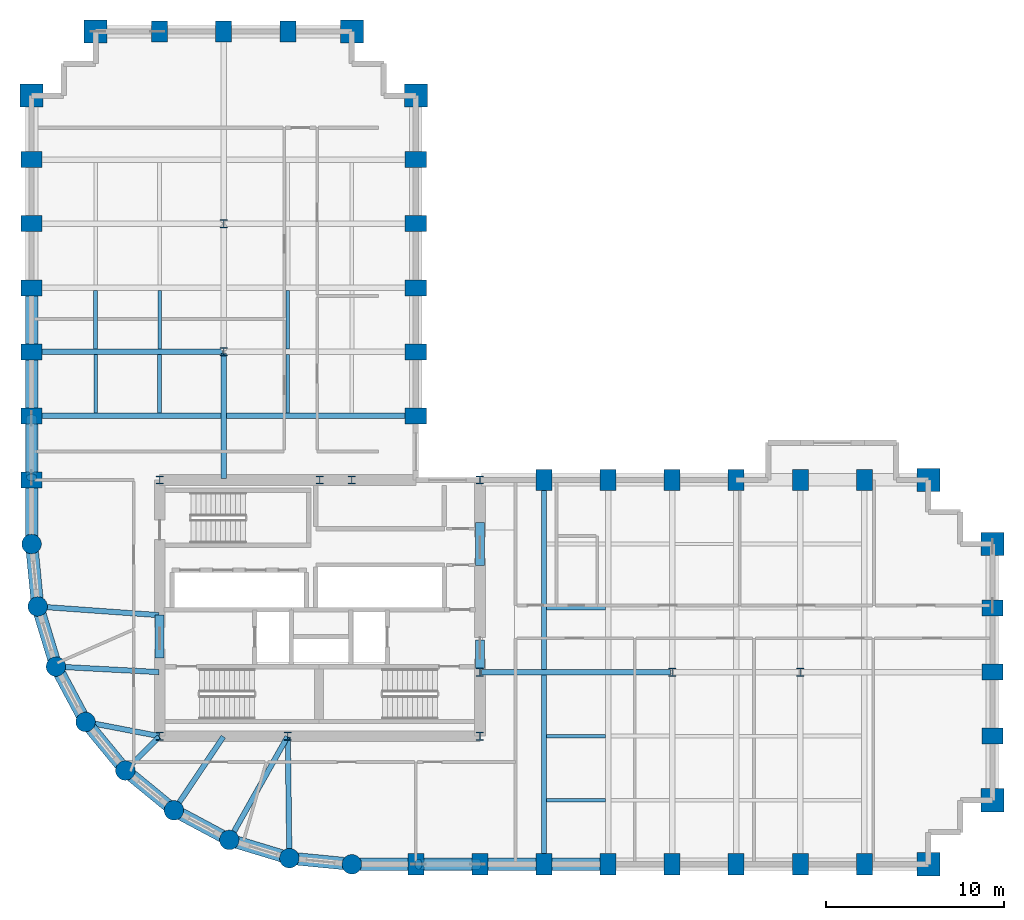
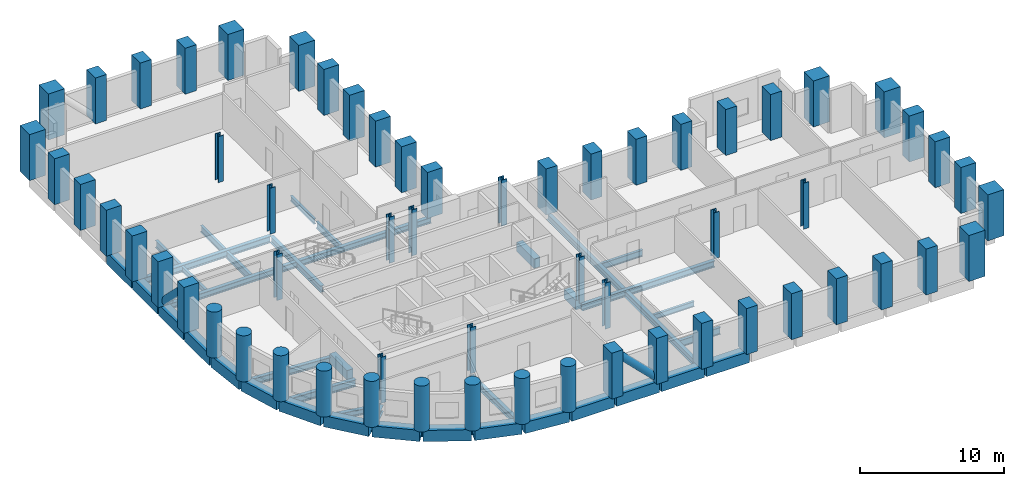
# One storey, part 1 of 8: 60 columns, 40 beams, 2 members.
"""IFC4 building model written with IfcOpenShell, lengths in metres."""

from ifc_helpers import new_model, si_unit, direction, frame, origin, origin_2d, place, context, subcontext, project, spatial, rectangle, circle, hollow_circle, i_section, extrude, material, material_profile, profile_set, type_object, element, save


model = new_model("IFC4")

# Units and contexts
model_context = context("Model", 3, precision=1e-05, world=origin(), true_north=direction((0.0, 1.0)))
body_context = subcontext(model_context, "Body", "Model", "MODEL_VIEW")
ifc_project = project(units=[si_unit("LENGTHUNIT", "METRE"), si_unit("AREAUNIT", "SQUARE_METRE"), si_unit("VOLUMEUNIT", "CUBIC_METRE"), si_unit("PLANEANGLEUNIT", "RADIAN"), si_unit("MASSUNIT", "GRAM", prefix="KILO")], contexts=[model_context])

# Site, building, storey
site_placement = place(None, origin())
site = spatial("IfcSite", under=ifc_project, at=site_placement, CompositionType="ELEMENT")
building_placement = place(site_placement, origin())
building = spatial("IfcBuilding", under=site, at=building_placement, Name="Solnavia Interchange Tower", CompositionType="ELEMENT")
storey_placement = place(building_placement, frame((0.0, 0.0, 43.5)))
storey = spatial("IfcBuildingStorey", under=building, at=storey_placement, Name="L10", CompositionType="ELEMENT", Elevation=43.5)

# Columns
ifc_material_1 = material(Name="Concrete C60/75", Category="concrete")
ifc_material_profile_1 = material_profile(ifc_material_1, rectangle(XDim=0.89990234375, YDim=1.199951171875, at=origin_2d()), Name="RC 1200x900")
ifc_profile_set_1 = profile_set([ifc_material_profile_1], Name="Concrete C60/75")
column_type_1 = type_object("IfcColumnType", Name="Col-RC-1200x900", PredefinedType="COLUMN", material=ifc_profile_set_1)
for number, where, z_axis, x_axis, name in (
    (1, (7.199951171875, 25.199951171875, 0.0), (0.0, 0.0, 1.0), (0.0, 1.0, 0.0), "COL-L10-02 Tower perim y column"),
    (2, (7.199951171875, 28.800048828125, 0.0), (0.0, 0.0, 1.0), (0.0, 1.0, 0.0), "COL-L10-03 Tower perim y column"),
    (3, (7.199951171875, 32.39990234375, 0.0), (0.0, 0.0, 1.0), (0.0, 1.0, 0.0), "COL-L10-04 Tower perim y column"),
    (4, (7.199951171875, 36.0, 0.0), (0.0, 0.0, 1.0), (0.0, 1.0, 0.0), "COL-L10-05 Tower perim y column"),
    (5, (7.199951171875, 39.60009765625, 0.0), (0.0, 0.0, 1.0), (0.0, 1.0, 0.0), "COL-L10-06 Tower perim y column"),
    (6, (7.199951171875, 43.199951171875, 0.0), (0.0, 0.0, 1.0), (0.0, 1.0, 0.0), "COL-L10-07 Tower perim y column"),
    (7, (14.39990234375, 50.39990234375, 0.0), (0.0, 0.0, 1.0), (1.0, 0.0, 0.0), "COL-L10-16 Tower perim x column"),
    (8, (18.0, 50.39990234375, 0.0), (0.0, 0.0, 1.0), (1.0, 0.0, 0.0), "COL-L10-20 Tower perim x column"),
    (9, (21.60009765625, 50.39990234375, 0.0), (0.0, 0.0, 1.0), (1.0, 0.0, 0.0), "COL-L10-23 Tower perim x column"),
    (10, (28.800048828125, 3.60009765625, 0.0), (0.0, 0.0, 1.0), (1.0, 0.0, 0.0), "COL-L10-29 Tower perim x column"),
    (11, (28.800048828125, 28.800048828125, 0.0), (0.0, 0.0, 1.0), (0.0, 1.0, 0.0), "COL-L10-30 Tower perim y column"),
    (12, (28.800048828125, 32.39990234375, 0.0), (0.0, 0.0, 1.0), (0.0, 1.0, 0.0), "COL-L10-31 Tower perim y column"),
    (13, (28.800048828125, 36.0, 0.0), (0.0, 0.0, 1.0), (0.0, 1.0, 0.0), "COL-L10-32 Tower perim y column"),
    (14, (28.800048828125, 39.60009765625, 0.0), (0.0, 0.0, 1.0), (0.0, 1.0, 0.0), "COL-L10-33 Tower perim y column"),
    (15, (28.800048828125, 43.199951171875, 0.0), (0.0, 0.0, 1.0), (0.0, 1.0, 0.0), "COL-L10-34 Tower perim y column"),
    (16, (32.39990234375, 3.60009765625, 0.0), (0.0, 0.0, 1.0), (1.0, 0.0, 0.0), "COL-L10-36 Tower perim x column"),
    (17, (36.0, 3.60009765625, 0.0), (0.0, 0.0, 1.0), (1.0, 0.0, 0.0), "COL-L10-40 Tower perim x column"),
    (18, (36.0, 25.199951171875, 0.0), (0.0, 0.0, 1.0), (1.0, 0.0, 0.0), "COL-L10-41 Tower perim x column"),
    (19, (39.60009765625, 3.60009765625, 0.0), (0.0, 0.0, 1.0), (1.0, 0.0, 0.0), "COL-L10-42 Tower perim x column"),
    (20, (39.60009765625, 25.199951171875, 0.0), (0.0, 0.0, 1.0), (1.0, 0.0, 0.0), "COL-L10-43 Tower perim x column"),
    (21, (43.199951171875, 3.60009765625, 0.0), (0.0, 0.0, 1.0), (1.0, 0.0, 0.0), "COL-L10-44 Tower perim x column"),
    (22, (43.199951171875, 25.199951171875, 0.0), (0.0, 0.0, 1.0), (1.0, 0.0, 0.0), "COL-L10-46 Tower perim x column"),
    (23, (46.800048828125, 3.60009765625, 0.0), (0.0, 0.0, 1.0), (1.0, 0.0, 0.0), "COL-L10-47 Tower perim x column"),
    (24, (46.800048828125, 25.199951171875, 0.0), (0.0, 0.0, 1.0), (1.0, 0.0, 0.0), "COL-L10-48 Tower perim x column"),
    (25, (50.39990234375, 3.60009765625, 0.0), (0.0, 0.0, 1.0), (1.0, 0.0, 0.0), "COL-L10-49 Tower perim x column"),
    (26, (50.39990234375, 25.199951171875, 0.0), (0.0, 0.0, 1.0), (1.0, 0.0, 0.0), "COL-L10-51 Tower perim x column"),
    (27, (54.0, 3.60009765625, 0.0), (0.0, 0.0, 1.0), (1.0, 0.0, 0.0), "COL-L10-52 Tower perim x column"),
    (28, (54.0, 25.199951171875, 0.0), (0.0, 0.0, 1.0), (1.0, 0.0, 0.0), "COL-L10-53 Tower perim x column"),
    (29, (61.199951171875, 10.800048828125, 0.0), (0.0, 0.0, 1.0), (0.0, 1.0, 0.0), "COL-L10-57 Tower perim y column"),
    (30, (61.199951171875, 14.39990234375, 0.0), (0.0, 0.0, 1.0), (0.0, 1.0, 0.0), "COL-L10-58 Tower perim y column"),
    (31, (61.199951171875, 18.0, 0.0), (0.0, 0.0, 1.0), (0.0, 1.0, 0.0), "COL-L10-59 Tower perim y column"),
):
    element("IfcColumn", number, at=place(storey_placement, frame(where, z_axis=z_axis, x_axis=x_axis)), inside=storey, type_object=column_type_1, Name=name, PredefinedType="COLUMN", context=body_context, shape_type="SweptSolid", body=[
        extrude(rectangle(XDim=0.89990234375, YDim=1.199951171875, at=origin_2d()), origin(), (0.0, 0.0, 1.0), 3.89990234375),
    ])
ifc_material_profile_2 = material_profile(ifc_material_1, rectangle(XDim=1.300048828125, YDim=1.300048828125, at=origin_2d()), Name="RC 1300x1300")
ifc_profile_set_2 = profile_set([ifc_material_profile_2], Name="Concrete C60/75")
column_type_2 = type_object("IfcColumnType", Name="Col-RC-1300x1300", PredefinedType="COLUMN", material=ifc_profile_set_2)
for number, where, z_axis, x_axis, name in (
    (32, (7.199951171875, 46.800048828125, 0.0), (0.0, 0.0, 1.0), (0.0, 1.0, 0.0), "COL-L10-08 Tower corner column"),
    (33, (10.800048828125, 50.39990234375, 0.0), (0.0, 0.0, 1.0), (1.0, 0.0, 0.0), "COL-L10-12 Tower corner column"),
    (34, (25.199951171875, 50.39990234375, 0.0), (0.0, 0.0, 1.0), (1.0, 0.0, 0.0), "COL-L10-28 Tower corner column"),
    (35, (28.800048828125, 46.800048828125, 0.0), (0.0, 0.0, 1.0), (0.0, 1.0, 0.0), "COL-L10-35 Tower corner column"),
    (36, (57.60009765625, 3.60009765625, 0.0), (0.0, 0.0, 1.0), (1.0, 0.0, 0.0), "COL-L10-54 Tower corner column"),
    (37, (57.60009765625, 25.199951171875, 0.0), (0.0, 0.0, 1.0), (1.0, 0.0, 0.0), "COL-L10-55 Tower corner column"),
    (38, (61.199951171875, 7.199951171875, 0.0), (0.0, 0.0, 1.0), (1.0, 0.0, 0.0), "COL-L10-56 Tower corner column"),
    (39, (61.199951171875, 21.60009765625, 0.0), (0.0, 0.0, 1.0), (0.0, 1.0, 0.0), "COL-L10-60 Tower corner column"),
):
    element("IfcColumn", number, at=place(storey_placement, frame(where, z_axis=z_axis, x_axis=x_axis)), inside=storey, type_object=column_type_2, Name=name, PredefinedType="COLUMN", context=body_context, shape_type="SweptSolid", body=[
        extrude(rectangle(XDim=1.300048828125, YDim=1.300048828125, at=origin_2d()), origin(), (0.0, 0.0, 1.0), 3.89990234375),
    ])
ifc_material_profile_3 = material_profile(ifc_material_1, circle(Radius=0.550048828125, at=origin_2d()), Name="RC D1100")
ifc_profile_set_3 = profile_set([ifc_material_profile_3], Name="Concrete C60/75")
column_type_3 = type_object("IfcColumnType", Name="Col-RC-D1100", PredefinedType="COLUMN", material=ifc_profile_set_3)
for number, where, z_axis, x_axis, name in (
    (40, (7.199951171875, 21.60009765625, 0.0), (0.0, 0.0, 1.0), (1.0, 0.0, 0.0), "COL-L10-01 Tower drum column"),
    (41, (7.5458984375, 18.087890625, 0.0), (0.0, 0.0, 1.0), (1.0, 0.0, 0.0), "COL-L10-09 Tower drum column"),
    (42, (8.570068359375, 14.7119140625, 0.0), (0.0, 0.0, 1.0), (1.0, 0.0, 0.0), "COL-L10-10 Tower drum column"),
    (43, (10.23388671875, 11.60009765625, 0.0), (0.0, 0.0, 1.0), (1.0, 0.0, 0.0), "COL-L10-11 Tower drum column"),
    (44, (12.471923828125, 8.8720703125, 0.0), (0.0, 0.0, 1.0), (1.0, 0.0, 0.0), "COL-L10-13 Tower drum column"),
    (45, (15.199951171875, 6.634033203125, 0.0), (0.0, 0.0, 1.0), (1.0, 0.0, 0.0), "COL-L10-17 Tower drum column"),
    (46, (18.31201171875, 4.969970703125, 0.0), (0.0, 0.0, 1.0), (1.0, 0.0, 0.0), "COL-L10-21 Tower drum column"),
    (47, (21.68798828125, 3.946044921875, 0.0), (0.0, 0.0, 1.0), (1.0, 0.0, 0.0), "COL-L10-24 Tower drum column"),
    (48, (25.199951171875, 3.60009765625, 0.0), (0.0, 0.0, 1.0), (1.0, 0.0, 0.0), "COL-L10-26 Tower drum column"),
):
    element("IfcColumn", number, at=place(storey_placement, frame(where, z_axis=z_axis, x_axis=x_axis)), inside=storey, type_object=column_type_3, Name=name, PredefinedType="COLUMN", context=body_context, shape_type="SweptSolid", body=[
        extrude(circle(Radius=0.550048828125, at=origin_2d()), origin(), (0.0, 0.0, 1.0), 3.89990234375),
    ])
ifc_material_2 = material(Name="Steel S355", Category="steel")
ifc_material_profile_4 = material_profile(ifc_material_2, i_section(OverallWidth=0.424072265625, OverallDepth=0.467041015625, WebThickness=0.032958984375, FlangeThickness=0.053466796875, FilletRadius=0.014892578125, at=origin_2d()), Name="HD 400x509")
ifc_profile_set_4 = profile_set([ifc_material_profile_4], Name="Steel S355")
column_type_4 = type_object("IfcColumnType", Name="Col-Steel-HD400x509", PredefinedType="COLUMN", material=ifc_profile_set_4)
for number, where, z_axis, x_axis, name in (
    (49, (14.39990234375, 10.800048828125, 0.0), (0.0, 0.0, 1.0), (1.0, 0.0, 0.0), "COL-L10-14 Tower interior column"),
    (50, (14.39990234375, 25.199951171875, 0.0), (0.0, 0.0, 1.0), (1.0, 0.0, 0.0), "COL-L10-15 Tower interior column"),
    (51, (18.0, 32.39990234375, 0.0), (0.0, 0.0, 1.0), (1.0, 0.0, 0.0), "COL-L10-18 Tower interior column"),
    (52, (18.0, 39.60009765625, 0.0), (0.0, 0.0, 1.0), (1.0, 0.0, 0.0), "COL-L10-19 Tower interior column"),
    (53, (21.60009765625, 10.800048828125, 0.0), (0.0, 0.0, 1.0), (1.0, 0.0, 0.0), "COL-L10-22 Tower interior column"),
    (54, (23.39990234375, 25.199951171875, 0.0), (0.0, 0.0, 1.0), (1.0, 0.0, 0.0), "COL-L10-25 Tower interior column"),
    (55, (25.199951171875, 25.199951171875, 0.0), (0.0, 0.0, 1.0), (1.0, 0.0, 0.0), "COL-L10-27 Tower interior column"),
    (56, (32.39990234375, 10.800048828125, 0.0), (0.0, 0.0, 1.0), (1.0, 0.0, 0.0), "COL-L10-37 Tower interior column"),
    (57, (32.39990234375, 14.39990234375, 0.0), (0.0, 0.0, 1.0), (1.0, 0.0, 0.0), "COL-L10-38 Tower interior column"),
    (58, (32.39990234375, 25.199951171875, 0.0), (0.0, 0.0, 1.0), (1.0, 0.0, 0.0), "COL-L10-39 Tower interior column"),
    (59, (43.199951171875, 14.39990234375, 0.0), (0.0, 0.0, 1.0), (1.0, 0.0, 0.0), "COL-L10-45 Tower interior column"),
    (60, (50.39990234375, 14.39990234375, 0.0), (0.0, 0.0, 1.0), (1.0, 0.0, 0.0), "COL-L10-50 Tower interior column"),
):
    element("IfcColumn", number, at=place(storey_placement, frame(where, z_axis=z_axis, x_axis=x_axis)), inside=storey, type_object=column_type_4, Name=name, PredefinedType="COLUMN", context=body_context, shape_type="SweptSolid", body=[
        extrude(i_section(OverallWidth=0.424072265625, OverallDepth=0.467041015625, WebThickness=0.032958984375, FlangeThickness=0.053466796875, FilletRadius=0.014892578125, at=origin_2d()), origin(), (0.0, 0.0, 1.0), 3.89990234375),
    ])

# Beams
ifc_material_3 = material(Name="Concrete C50/60", Category="concrete")
ifc_material_profile_5 = material_profile(ifc_material_3, rectangle(XDim=0.5, YDim=0.800048828125, at=origin_2d()), Name="RC 500x800")
ifc_profile_set_5 = profile_set([ifc_material_profile_5], Name="Concrete C50/60")
beam_type_1 = type_object("IfcBeamType", Name="Beam-Coupling-RC500x800", PredefinedType="LINTEL", material=ifc_profile_set_5)
beam_1_placement = place(storey_placement, frame((14.39990234375, 15.199951171875, -0.39990234375), z_axis=(0.0, 1.0, 0.0), x_axis=(-1.0, 0.0, 0.0)))
element("IfcBeam", 61, at=beam_1_placement, inside=storey, type_object=beam_type_1, Name="CPB-L10-W1 Core coupling lintel beam", PredefinedType="LINTEL", context=body_context, shape_type="SweptSolid", body=[
    extrude(rectangle(XDim=0.5, YDim=0.800048828125, at=origin_2d()), origin(), (0.0, 0.0, 1.0), 2.400146484375),
])
beam_2_placement = place(storey_placement, frame((32.39990234375, 14.60009765625, -0.39990234375), z_axis=(0.0, 1.0, 0.0), x_axis=(-1.0, 0.0, 0.0)))
element("IfcBeam", 62, at=beam_2_placement, inside=storey, type_object=beam_type_1, Name="CPB-L10-E1 Core coupling lintel beam", PredefinedType="LINTEL", context=body_context, shape_type="SweptSolid", body=[
    extrude(rectangle(XDim=0.5, YDim=0.800048828125, at=origin_2d()), origin(), (0.0, 0.0, 1.0), 1.599853515625),
])
beam_3_placement = place(storey_placement, frame((32.39990234375, 20.39990234375, -0.39990234375), z_axis=(0.0, 1.0, 0.0), x_axis=(-1.0, 0.0, 0.0)))
element("IfcBeam", 63, at=beam_3_placement, inside=storey, type_object=beam_type_1, Name="CPB-L10-E2 Core coupling lintel beam", PredefinedType="LINTEL", context=body_context, shape_type="SweptSolid", body=[
    extrude(rectangle(XDim=0.5, YDim=0.800048828125, at=origin_2d()), origin(), (0.0, 0.0, 1.0), 2.400146484375),
])
ifc_material_4 = material(Name="Steel S460", Category="steel")
ifc_material_profile_6 = material_profile(ifc_material_4, i_section(OverallWidth=0.300048828125, OverallDepth=0.550048828125, WebThickness=0.014892578125, FlangeThickness=0.029052734375, FilletRadius=0.027099609375, at=origin_2d()), Name="HEB 550")
ifc_profile_set_6 = profile_set([ifc_material_profile_6], Name="Steel S460")
beam_type_2 = type_object("IfcBeamType", Name="Beam-Girder-HEB550", PredefinedType="BEAM", material=ifc_profile_set_6)
beam_4_placement = place(storey_placement, frame((32.47998046875, 14.39990234375, -0.52490234375), z_axis=(1.0, 0.0, 0.0), x_axis=(0.0, 1.0, 0.0)))
element("IfcBeam", 64, at=beam_4_placement, inside=storey, type_object=beam_type_2, Name="GRD-L10-ES01 East wing spine girder", PredefinedType="BEAM", context=body_context, shape_type="SweptSolid", body=[
    extrude(i_section(OverallWidth=0.300048828125, OverallDepth=0.550048828125, WebThickness=0.014892578125, FlangeThickness=0.029052734375, FilletRadius=0.027099609375, at=origin_2d()), origin(), (0.0, 0.0, 1.0), 10.64013671875),
])
beam_5_placement = place(storey_placement, frame((36.0, 3.679931640625, -0.52490234375), z_axis=(0.0, 1.0, 0.0), x_axis=(-1.0, 0.0, 0.0)))
element("IfcBeam", 65, at=beam_5_placement, inside=storey, type_object=beam_type_2, Name="GRD-L10-EW04 East wing primary floor girder", PredefinedType="BEAM", context=body_context, shape_type="SweptSolid", body=[
    extrude(i_section(OverallWidth=0.300048828125, OverallDepth=0.550048828125, WebThickness=0.014892578125, FlangeThickness=0.029052734375, FilletRadius=0.027099609375, at=origin_2d()), origin(), (0.0, 0.0, 1.0), 21.440185546875),
])
beam_6_placement = place(storey_placement, frame((18.0, 25.280029296875, -0.52490234375), z_axis=(0.0, 1.0, 0.0), x_axis=(-1.0, 0.0, 0.0)))
element("IfcBeam", 66, at=beam_6_placement, inside=storey, type_object=beam_type_2, Name="GRD-L10-NS12 North wing spine girder", PredefinedType="BEAM", context=body_context, shape_type="SweptSolid", body=[
    extrude(i_section(OverallWidth=0.300048828125, OverallDepth=0.550048828125, WebThickness=0.014892578125, FlangeThickness=0.029052734375, FilletRadius=0.027099609375, at=origin_2d()), origin(), (0.0, 0.0, 1.0), 7.0400390625),
])
beam_7_placement = place(storey_placement, frame((7.280029296875, 32.39990234375, -0.52490234375), z_axis=(1.0, 0.0, 0.0), x_axis=(0.0, 1.0, 0.0)))
element("IfcBeam", 67, at=beam_7_placement, inside=storey, type_object=beam_type_2, Name="GRD-L10-NW16 North wing primary floor girder", PredefinedType="BEAM", context=body_context, shape_type="SweptSolid", body=[
    extrude(i_section(OverallWidth=0.300048828125, OverallDepth=0.550048828125, WebThickness=0.014892578125, FlangeThickness=0.029052734375, FilletRadius=0.027099609375, at=origin_2d()), origin(), (0.0, 0.0, 1.0), 10.639892578125),
])
beam_8_placement = place(storey_placement, frame((7.625732421875, 18.082275390625, -0.52490234375), z_axis=(0.99747482749, -0.071020902015, 0.0), x_axis=(0.071020902015, 0.99747482749, 0.0)))
element("IfcBeam", 68, at=beam_8_placement, inside=storey, type_object=beam_type_2, Name="GRD-L10-DR22 Drum radial floor girder", PredefinedType="BEAM", context=body_context, shape_type="SweptSolid", body=[
    extrude(i_section(OverallWidth=0.300048828125, OverallDepth=0.550048828125, WebThickness=0.014892578125, FlangeThickness=0.029052734375, FilletRadius=0.027099609375, at=origin_2d()), origin(), (0.0, 0.0, 1.0), 6.75146484375),
])
beam_9_placement = place(storey_placement, frame((12.528564453125, 8.9287109375, -0.52490234375), z_axis=(0.707106781187, 0.707106781187, 0.0), x_axis=(-0.707106781187, 0.707106781187, 0.0)))
element("IfcBeam", 69, at=beam_9_placement, inside=storey, type_object=beam_type_2, Name="GRD-L10-DR25 Drum radial floor girder", PredefinedType="BEAM", context=body_context, shape_type="SweptSolid", body=[
    extrude(i_section(OverallWidth=0.300048828125, OverallDepth=0.550048828125, WebThickness=0.014892578125, FlangeThickness=0.029052734375, FilletRadius=0.027099609375, at=origin_2d()), origin(), (0.0, 0.0, 1.0), 2.6064453125),
])
beam_10_placement = place(storey_placement, frame((21.68701171875, 4.02587890625, -0.52490234375), z_axis=(-0.01283293513, 0.999917654498, 0.0), x_axis=(-0.999917654498, -0.01283293513, 0.0)))
element("IfcBeam", 70, at=beam_10_placement, inside=storey, type_object=beam_type_2, Name="GRD-L10-DR28 Drum radial floor girder", PredefinedType="BEAM", context=body_context, shape_type="SweptSolid", body=[
    extrude(i_section(OverallWidth=0.300048828125, OverallDepth=0.550048828125, WebThickness=0.014892578125, FlangeThickness=0.029052734375, FilletRadius=0.027099609375, at=origin_2d()), origin(), (0.0, 0.0, 1.0), 6.734619140625),
])
ifc_material_profile_7 = material_profile(ifc_material_2, i_section(OverallWidth=0.18994140625, OverallDepth=0.449951171875, WebThickness=0.009521484375, FlangeThickness=0.0146484375, FilletRadius=0.02099609375, at=origin_2d()), Name="IPE 450")
ifc_profile_set_7 = profile_set([ifc_material_profile_7], Name="Steel S355")
beam_type_3 = type_object("IfcBeamType", Name="Beam-Joist-IPE450", PredefinedType="JOIST", material=ifc_profile_set_7)
for number, where, z_axis, x_axis, name in (
    (71, (36.14990234375, 10.800048828125, -0.47509765625), (1.0, 0.0, 0.0), (0.0, 1.0, 0.0), "JST-L10-E06 East wing secondary joist"),
    (72, (10.800048828125, 28.949951171875, -0.47509765625), (0.0, 1.0, 0.0), (-1.0, 0.0, 0.0), "JST-L10-N21 North wing secondary joist"),
    (73, (21.60009765625, 32.550048828125, -0.47509765625), (0.0, 1.0, 0.0), (-1.0, 0.0, 0.0), "JST-L10-N30 North wing secondary joist"),
):
    element("IfcBeam", number, at=place(storey_placement, frame(where, z_axis=z_axis, x_axis=x_axis)), inside=storey, type_object=beam_type_3, Name=name, PredefinedType="JOIST", context=body_context, shape_type="SweptSolid", body=[
        extrude(i_section(OverallWidth=0.18994140625, OverallDepth=0.449951171875, WebThickness=0.009521484375, FlangeThickness=0.0146484375, FilletRadius=0.02099609375, at=origin_2d()), origin(), (0.0, 0.0, 1.0), 3.300048828125),
    ])
ifc_material_profile_8 = material_profile(ifc_material_2, i_section(OverallWidth=0.2099609375, OverallDepth=0.550048828125, WebThickness=0.010986328125, FlangeThickness=0.01708984375, FilletRadius=0.02392578125, at=origin_2d()), Name="IPE 550")
ifc_profile_set_8 = profile_set([ifc_material_profile_8], Name="Steel S355")
beam_type_4 = type_object("IfcBeamType", Name="Beam-Joist-IPE550", PredefinedType="JOIST", material=ifc_profile_set_8)
for number, where, z_axis, x_axis, name in (
    (74, (36.14990234375, 18.0, -0.52490234375), (1.0, 0.0, 0.0), (0.0, 1.0, 0.0), "JST-L10-E11 East wing secondary joist"),
    (75, (14.39990234375, 32.550048828125, -0.52490234375), (0.0, 1.0, 0.0), (-1.0, 0.0, 0.0), "JST-L10-N26 North wing secondary joist"),
    (76, (21.60009765625, 28.949951171875, -0.52490234375), (0.0, 1.0, 0.0), (-1.0, 0.0, 0.0), "JST-L10-N29 North wing secondary joist"),
):
    element("IfcBeam", number, at=place(storey_placement, frame(where, z_axis=z_axis, x_axis=x_axis)), inside=storey, type_object=beam_type_4, Name=name, PredefinedType="JOIST", context=body_context, shape_type="SweptSolid", body=[
        extrude(i_section(OverallWidth=0.2099609375, OverallDepth=0.550048828125, WebThickness=0.010986328125, FlangeThickness=0.01708984375, FilletRadius=0.02392578125, at=origin_2d()), origin(), (0.0, 0.0, 1.0), 3.300048828125),
    ])
ifc_material_profile_9 = material_profile(ifc_material_2, i_section(OverallWidth=0.219970703125, OverallDepth=0.60009765625, WebThickness=0.011962890625, FlangeThickness=0.01904296875, FilletRadius=0.02392578125, at=origin_2d()), Name="IPE 600")
ifc_profile_set_9 = profile_set([ifc_material_profile_9], Name="Steel S355")
beam_type_5 = type_object("IfcBeamType", Name="Beam-Joist-IPE600", PredefinedType="JOIST", material=ifc_profile_set_9)
for number, where, z_axis, x_axis, name in (
    (77, (36.14990234375, 7.199951171875, -0.550048828125), (1.0, 0.0, 0.0), (0.0, 1.0, 0.0), "JST-L10-E01 East wing secondary joist"),
    (78, (10.800048828125, 32.550048828125, -0.550048828125), (0.0, 1.0, 0.0), (-1.0, 0.0, 0.0), "JST-L10-N22 North wing secondary joist"),
    (79, (14.39990234375, 28.949951171875, -0.550048828125), (0.0, 1.0, 0.0), (-1.0, 0.0, 0.0), "JST-L10-N25 North wing secondary joist"),
):
    element("IfcBeam", number, at=place(storey_placement, frame(where, z_axis=z_axis, x_axis=x_axis)), inside=storey, type_object=beam_type_5, Name=name, PredefinedType="JOIST", context=body_context, shape_type="SweptSolid", body=[
        extrude(i_section(OverallWidth=0.219970703125, OverallDepth=0.60009765625, WebThickness=0.011962890625, FlangeThickness=0.01904296875, FilletRadius=0.02392578125, at=origin_2d()), origin(), (0.0, 0.0, 1.0), 3.300048828125),
    ])
ifc_material_profile_10 = material_profile(ifc_material_2, i_section(OverallWidth=0.300048828125, OverallDepth=0.489990234375, WebThickness=0.011962890625, FlangeThickness=0.02294921875, FilletRadius=0.027099609375, at=origin_2d()), Name="HEA 500")
ifc_profile_set_10 = profile_set([ifc_material_profile_10], Name="Steel S355")
beam_type_6 = type_object("IfcBeamType", Name="Beam-Primary-HEA500", PredefinedType="BEAM", material=ifc_profile_set_10)
beam_11_placement = place(storey_placement, frame((7.280029296875, 28.800048828125, -0.4951171875), z_axis=(1.0, 0.0, 0.0), x_axis=(0.0, 1.0, 0.0)))
element("IfcBeam", 80, at=beam_11_placement, inside=storey, type_object=beam_type_6, Name="GRD-L10-NW15 North wing primary floor girder", PredefinedType="BEAM", context=body_context, shape_type="SweptSolid", body=[
    extrude(i_section(OverallWidth=0.300048828125, OverallDepth=0.489990234375, WebThickness=0.011962890625, FlangeThickness=0.02294921875, FilletRadius=0.027099609375, at=origin_2d()), origin(), (0.0, 0.0, 1.0), 21.43994140625),
])
beam_12_placement = place(storey_placement, frame((10.3125, 11.5849609375, -0.4951171875), z_axis=(0.982057527796, -0.188581579428, 0.0), x_axis=(0.188581579428, 0.982057527796, 0.0)))
element("IfcBeam", 81, at=beam_12_placement, inside=storey, type_object=beam_type_6, Name="GRD-L10-DR24 Drum radial floor girder", PredefinedType="BEAM", context=body_context, shape_type="SweptSolid", body=[
    extrude(i_section(OverallWidth=0.300048828125, OverallDepth=0.489990234375, WebThickness=0.011962890625, FlangeThickness=0.02294921875, FilletRadius=0.027099609375, at=origin_2d()), origin(), (0.0, 0.0, 1.0), 4.1220703125),
])
beam_13_placement = place(storey_placement, frame((18.351318359375, 5.039794921875, -0.4951171875), z_axis=(0.491243158486, 0.871022479182, 0.0), x_axis=(-0.871022479182, 0.491243158486, 0.0)))
element("IfcBeam", 82, at=beam_13_placement, inside=storey, type_object=beam_type_6, Name="GRD-L10-DR27 Drum radial floor girder", PredefinedType="BEAM", context=body_context, shape_type="SweptSolid", body=[
    extrude(i_section(OverallWidth=0.300048828125, OverallDepth=0.489990234375, WebThickness=0.011962890625, FlangeThickness=0.02294921875, FilletRadius=0.027099609375, at=origin_2d()), origin(), (0.0, 0.0, 1.0), 6.5732421875),
])
ifc_material_profile_11 = material_profile(ifc_material_2, i_section(OverallWidth=0.300048828125, OverallDepth=0.590087890625, WebThickness=0.012939453125, FlangeThickness=0.02490234375, FilletRadius=0.027099609375, at=origin_2d()), Name="HEA 600")
ifc_profile_set_11 = profile_set([ifc_material_profile_11], Name="Steel S355")
beam_type_7 = type_object("IfcBeamType", Name="Beam-Primary-HEA600", PredefinedType="BEAM", material=ifc_profile_set_11)
beam_14_placement = place(storey_placement, frame((8.64990234375, 14.707763671875, -0.544921875), z_axis=(0.998570371303, -0.053452909696, 0.0), x_axis=(0.053452909696, 0.998570371303, 0.0)))
element("IfcBeam", 83, at=beam_14_placement, inside=storey, type_object=beam_type_7, Name="GRD-L10-DR23 Drum radial floor girder", PredefinedType="BEAM", context=body_context, shape_type="SweptSolid", body=[
    extrude(i_section(OverallWidth=0.300048828125, OverallDepth=0.590087890625, WebThickness=0.012939453125, FlangeThickness=0.02490234375, FilletRadius=0.027099609375, at=origin_2d()), origin(), (0.0, 0.0, 1.0), 5.71826171875),
])
beam_15_placement = place(storey_placement, frame((15.24462890625, 6.700439453125, -0.544921875), z_axis=(0.557835474219, 0.829951555033, 0.0), x_axis=(-0.829951555033, 0.557835474219, 0.0)))
element("IfcBeam", 84, at=beam_15_placement, inside=storey, type_object=beam_type_7, Name="GRD-L10-DR26 Drum radial floor girder", PredefinedType="BEAM", context=body_context, shape_type="SweptSolid", body=[
    extrude(i_section(OverallWidth=0.300048828125, OverallDepth=0.590087890625, WebThickness=0.012939453125, FlangeThickness=0.02490234375, FilletRadius=0.027099609375, at=origin_2d()), origin(), (0.0, 0.0, 1.0), 4.899658203125),
])
ifc_material_profile_12 = material_profile(ifc_material_3, rectangle(XDim=0.699951171875, YDim=0.949951171875, at=origin_2d()), Name="RC 700x950")
ifc_profile_set_12 = profile_set([ifc_material_profile_12], Name="Concrete C50/60")
beam_type_8 = type_object("IfcBeamType", Name="Beam-Spandrel-RC700x950", PredefinedType="SPANDREL", material=ifc_profile_set_12)
beam_16_placement = place(storey_placement, frame((7.207763671875, 21.5205078125, -0.47509765625), z_axis=(0.098040038117, -0.995182471171, 0.0), x_axis=(0.995182471171, 0.098040038117, 0.0)))
element("IfcBeam", 85, at=beam_16_placement, inside=storey, type_object=beam_type_8, Name="SPB-L10-01 Framed-tube perimeter spandrel beam", PredefinedType="SPANDREL", context=body_context, shape_type="SweptSolid", body=[
    extrude(rectangle(XDim=0.699951171875, YDim=0.949951171875, at=origin_2d()), origin(), (0.0, 0.0, 1.0), 3.369140625),
])
beam_17_placement = place(storey_placement, frame((7.569091796875, 18.011474609375, -0.47509765625), z_axis=(0.290319223646, -0.956929855518, 0.0), x_axis=(0.956929855518, 0.290319223646, 0.0)))
element("IfcBeam", 86, at=beam_17_placement, inside=storey, type_object=beam_type_8, Name="SPB-L10-02 Framed-tube perimeter spandrel beam", PredefinedType="SPANDREL", context=body_context, shape_type="SweptSolid", body=[
    extrude(rectangle(XDim=0.699951171875, YDim=0.949951171875, at=origin_2d()), origin(), (0.0, 0.0, 1.0), 3.367919921875),
])
beam_18_placement = place(storey_placement, frame((8.607666015625, 14.6416015625, -0.47509765625), z_axis=(0.471509422952, -0.881861023102, 0.0), x_axis=(0.881861023102, 0.471509422952, 0.0)))
element("IfcBeam", 87, at=beam_18_placement, inside=storey, type_object=beam_type_8, Name="SPB-L10-03 Framed-tube perimeter spandrel beam", PredefinedType="SPANDREL", context=body_context, shape_type="SweptSolid", body=[
    extrude(rectangle(XDim=0.699951171875, YDim=0.949951171875, at=origin_2d()), origin(), (0.0, 0.0, 1.0), 3.369140625),
])
for number, where, z_axis, x_axis, name in (
    (88, (10.28466796875, 11.5380859375, -0.47509765625), (0.634298841675, -0.773087950656, 0.0), (0.773087950656, 0.634298841675, 0.0), "SPB-L10-04 Framed-tube perimeter spandrel beam"),
    (89, (12.53369140625, 8.8212890625, -0.47509765625), (0.773152644452, -0.634219984214, 0.0), (0.634219984214, 0.773152644452, 0.0), "SPB-L10-05 Framed-tube perimeter spandrel beam"),
):
    element("IfcBeam", number, at=place(storey_placement, frame(where, z_axis=z_axis, x_axis=x_axis)), inside=storey, type_object=beam_type_8, Name=name, PredefinedType="SPANDREL", context=body_context, shape_type="SweptSolid", body=[
        extrude(rectangle(XDim=0.699951171875, YDim=0.949951171875, at=origin_2d()), origin(), (0.0, 0.0, 1.0), 3.36865234375),
    ])
beam_19_placement = place(storey_placement, frame((15.2705078125, 6.59619140625, -0.47509765625), z_axis=(0.881875044348, -0.47148319817, 0.0), x_axis=(0.47148319817, 0.881875044348, 0.0)))
element("IfcBeam", 90, at=beam_19_placement, inside=storey, type_object=beam_type_8, Name="SPB-L10-06 Framed-tube perimeter spandrel beam", PredefinedType="SPANDREL", context=body_context, shape_type="SweptSolid", body=[
    extrude(rectangle(XDim=0.699951171875, YDim=0.949951171875, at=origin_2d()), origin(), (0.0, 0.0, 1.0), 3.368896484375),
])
beam_20_placement = place(storey_placement, frame((18.388671875, 4.94677734375, -0.47509765625), z_axis=(0.956943884494, -0.290272978297, 0.0), x_axis=(0.290272978297, 0.956943884494, 0.0)))
element("IfcBeam", 91, at=beam_20_placement, inside=storey, type_object=beam_type_8, Name="SPB-L10-07 Framed-tube perimeter spandrel beam", PredefinedType="SPANDREL", context=body_context, shape_type="SweptSolid", body=[
    extrude(rectangle(XDim=0.699951171875, YDim=0.949951171875, at=origin_2d()), origin(), (0.0, 0.0, 1.0), 3.36767578125),
])
beam_21_placement = place(storey_placement, frame((21.767578125, 3.938232421875, -0.47509765625), z_axis=(0.995181774609, -0.098047108501, 0.0), x_axis=(0.098047108501, 0.995181774609, 0.0)))
element("IfcBeam", 92, at=beam_21_placement, inside=storey, type_object=beam_type_8, Name="SPB-L10-08 Framed-tube perimeter spandrel beam", PredefinedType="SPANDREL", context=body_context, shape_type="SweptSolid", body=[
    extrude(rectangle(XDim=0.699951171875, YDim=0.949951171875, at=origin_2d()), origin(), (0.0, 0.0, 1.0), 3.368896484375),
])
beam_22_placement = place(storey_placement, frame((25.280029296875, 3.60009765625, -0.47509765625), z_axis=(1.0, 0.0, 0.0), x_axis=(0.0, 1.0, 0.0)))
element("IfcBeam", 93, at=beam_22_placement, inside=storey, type_object=beam_type_8, Name="SPB-L10-09 Framed-tube perimeter spandrel beam", PredefinedType="SPANDREL", context=body_context, shape_type="SweptSolid", body=[
    extrude(rectangle(XDim=0.699951171875, YDim=0.949951171875, at=origin_2d()), origin(), (0.0, 0.0, 1.0), 3.43994140625),
])
beam_23_placement = place(storey_placement, frame((28.8798828125, 3.60009765625, -0.47509765625), z_axis=(1.0, 0.0, 0.0), x_axis=(0.0, 1.0, 0.0)))
element("IfcBeam", 94, at=beam_23_placement, inside=storey, type_object=beam_type_8, Name="SPB-L10-10 Framed-tube perimeter spandrel beam", PredefinedType="SPANDREL", context=body_context, shape_type="SweptSolid", body=[
    extrude(rectangle(XDim=0.699951171875, YDim=0.949951171875, at=origin_2d()), origin(), (0.0, 0.0, 1.0), 3.440185546875),
])
for number, where, z_axis, x_axis, name in (
    (95, (32.47998046875, 3.60009765625, -0.47509765625), (1.0, 0.0, 0.0), (0.0, 1.0, 0.0), "SPB-L10-11 Framed-tube perimeter spandrel beam"),
    (96, (36.080078125, 3.60009765625, -0.47509765625), (1.0, 0.0, 0.0), (0.0, 1.0, 0.0), "SPB-L10-12 Framed-tube perimeter spandrel beam"),
    (97, (7.199951171875, 35.919921875, -0.47509765625), (0.0, -1.0, 0.0), (1.0, 0.0, 0.0), "SPB-L10-41 Framed-tube perimeter spandrel beam"),
):
    element("IfcBeam", number, at=place(storey_placement, frame(where, z_axis=z_axis, x_axis=x_axis)), inside=storey, type_object=beam_type_8, Name=name, PredefinedType="SPANDREL", context=body_context, shape_type="SweptSolid", body=[
        extrude(rectangle(XDim=0.699951171875, YDim=0.949951171875, at=origin_2d()), origin(), (0.0, 0.0, 1.0), 3.43994140625),
    ])
beam_24_placement = place(storey_placement, frame((7.199951171875, 32.320068359375, -0.47509765625), z_axis=(0.0, -1.0, 0.0), x_axis=(1.0, 0.0, 0.0)))
element("IfcBeam", 98, at=beam_24_placement, inside=storey, type_object=beam_type_8, Name="SPB-L10-42 Framed-tube perimeter spandrel beam", PredefinedType="SPANDREL", context=body_context, shape_type="SweptSolid", body=[
    extrude(rectangle(XDim=0.699951171875, YDim=0.949951171875, at=origin_2d()), origin(), (0.0, 0.0, 1.0), 3.440185546875),
])
beam_25_placement = place(storey_placement, frame((7.199951171875, 28.719970703125, -0.47509765625), z_axis=(0.0, -1.0, 0.0), x_axis=(1.0, 0.0, 0.0)))
element("IfcBeam", 99, at=beam_25_placement, inside=storey, type_object=beam_type_8, Name="SPB-L10-43 Framed-tube perimeter spandrel beam", PredefinedType="SPANDREL", context=body_context, shape_type="SweptSolid", body=[
    extrude(rectangle(XDim=0.699951171875, YDim=0.949951171875, at=origin_2d()), origin(), (0.0, 0.0, 1.0), 3.43994140625),
])
beam_26_placement = place(storey_placement, frame((7.199951171875, 25.1201171875, -0.47509765625), z_axis=(0.0, -1.0, 0.0), x_axis=(1.0, 0.0, 0.0)))
element("IfcBeam", 100, at=beam_26_placement, inside=storey, type_object=beam_type_8, Name="SPB-L10-44 Framed-tube perimeter spandrel beam", PredefinedType="SPANDREL", context=body_context, shape_type="SweptSolid", body=[
    extrude(rectangle(XDim=0.699951171875, YDim=0.949951171875, at=origin_2d()), origin(), (0.0, 0.0, 1.0), 3.440185546875),
])

# Members
ifc_material_profile_13 = material_profile(ifc_material_4, hollow_circle(Radius=0.304931640625, WallThickness=0.02490234375, at=origin_2d()), Name="CHS 610x25")
ifc_profile_set_13 = profile_set([ifc_material_profile_13], Name="Steel S460")
member_type = type_object("IfcMemberType", Name="Brace-Perim-CHS610", PredefinedType="BRACE", material=ifc_profile_set_13)
member_1_placement = place(storey_placement, frame((32.260009765625, 3.60009765625, 0.179931640625), z_axis=(-0.710311792477, 0.0, 0.703887176661), x_axis=(0.0, -1.0, 0.0)))
element("IfcMember", 101, at=member_1_placement, inside=storey, type_object=member_type, Name="BRC-L10-01 Perimeter tube diagonal brace", PredefinedType="BRACE", context=body_context, shape_type="SweptSolid", body=[
    extrude(hollow_circle(Radius=0.304931640625, WallThickness=0.02490234375, at=origin_2d()), origin(), (0.0, 0.0, 1.0), 4.674072265625),
])
member_2_placement = place(storey_placement, frame((7.199951171875, 28.659912109375, 0.179931640625), z_axis=(0.0, -0.710285911997, 0.703913292401), x_axis=(1.0, 0.0, 0.0)))
element("IfcMember", 102, at=member_2_placement, inside=storey, type_object=member_type, Name="BRC-L10-02 Perimeter tube diagonal brace", PredefinedType="BRACE", context=body_context, shape_type="SweptSolid", body=[
    extrude(hollow_circle(Radius=0.304931640625, WallThickness=0.02490234375, at=origin_2d()), origin(), (0.0, 0.0, 1.0), 4.673828125),
])

save(model, "model.ifc")
